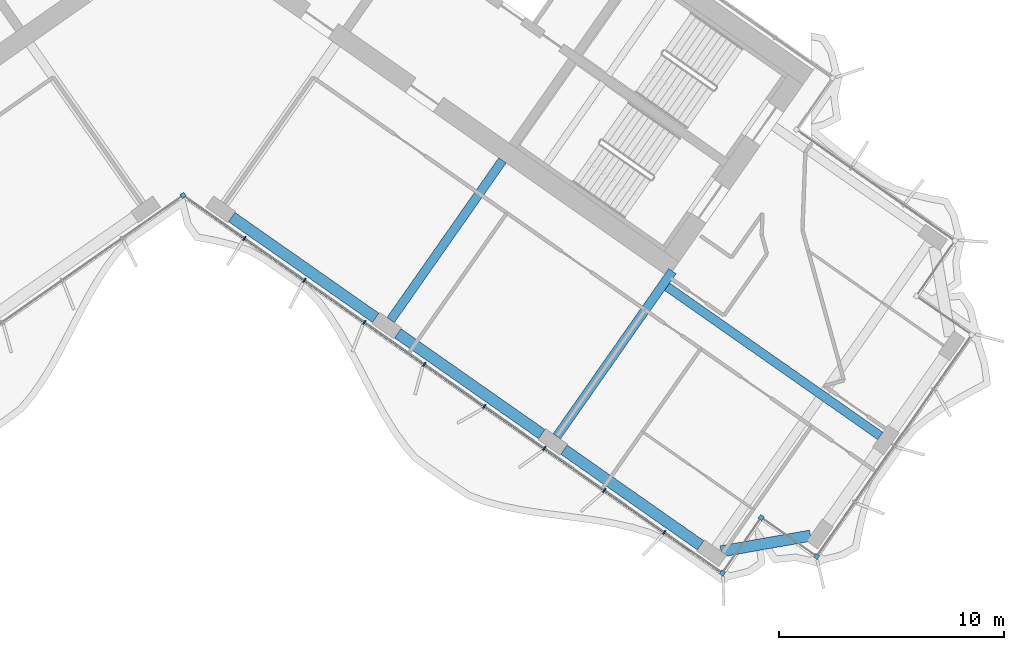
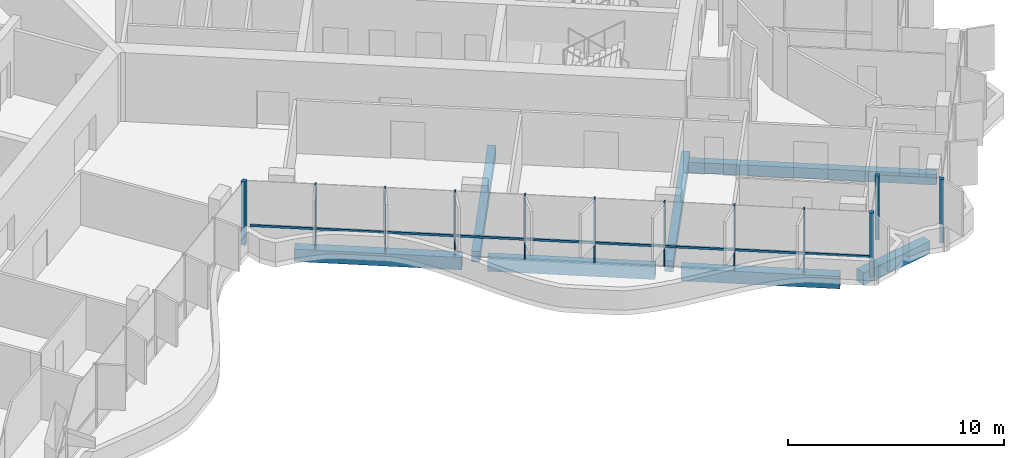
# One storey, part 5 of 21: 13 members, 7 beams, 1 element without a shape of its own.
"""IFC4 building model written with IfcOpenShell, lengths in metres."""

from ifc_helpers import new_model, si_unit, direction, frame, origin, origin_2d, place, context, subcontext, project, spatial, rectangle, extrude, material, material_profile, profile_set, type_object, element, aggregate, save


model = new_model("IFC4")

# Units and contexts
model_context = context("Model", 3, precision=1e-05, world=origin(), true_north=direction((0.0, 1.0)))
body_context = subcontext(model_context, "Body", "Model", "MODEL_VIEW")
ifc_project = project(units=[si_unit("LENGTHUNIT", "METRE"), si_unit("AREAUNIT", "SQUARE_METRE"), si_unit("VOLUMEUNIT", "CUBIC_METRE"), si_unit("PLANEANGLEUNIT", "RADIAN"), si_unit("MASSUNIT", "GRAM", prefix="KILO")], contexts=[model_context])

# Site, building, storey
site_placement = place(None, origin())
site = spatial("IfcSite", under=ifc_project, at=site_placement, CompositionType="ELEMENT")
building_placement = place(site_placement, origin())
building = spatial("IfcBuilding", under=site, at=building_placement, Name="Tel Ilan Convention Tower", CompositionType="ELEMENT")
storey_placement = place(building_placement, frame((0.0, 0.0, 206.10009765625)))
storey = spatial("IfcBuildingStorey", under=building, at=storey_placement, Name="L48", CompositionType="ELEMENT", Elevation=206.10009765625)

# Beams
ifc_material_1 = material(Name="Concrete C40/50", Category="concrete")
ifc_material_profile_1 = material_profile(ifc_material_1, rectangle(XDim=0.39990234375, YDim=0.60009765625, at=origin_2d()), Name="RC 400x600")
ifc_profile_set_1 = profile_set([ifc_material_profile_1], Name="Concrete C40/50")
beam_type_1 = type_object("IfcBeamType", Name="Beam RC 400x600 Concrete C40/50", PredefinedType="BEAM", material=ifc_profile_set_1)
beam_1_placement = place(storey_placement, frame((9.209716796875, -18.229248046875, -0.580078125), z_axis=(0.573574099654, 0.819153680457, 0.0), x_axis=(-0.819153680457, 0.573574099654, 0.0)))
element("IfcBeam", 1, at=beam_1_placement, inside=storey, type_object=beam_type_1, Name="L48 beam E-E-F2-core", PredefinedType="BEAM", context=body_context, shape_type="SweptSolid", body=[
    extrude(rectangle(XDim=0.39990234375, YDim=0.60009765625, at=origin_2d()), origin(), (0.0, 0.0, 1.0), 8.64990234375),
])
beam_2_placement = place(storey_placement, frame((16.58203125, -23.391357421875, -0.580078125), z_axis=(0.573584999642, 0.819146048141, 0.0), x_axis=(-0.819146048141, 0.573584999642, 0.0)))
element("IfcBeam", 2, at=beam_2_placement, inside=storey, type_object=beam_type_1, Name="L48 beam E-E-F3-core", PredefinedType="BEAM", context=body_context, shape_type="SweptSolid", body=[
    extrude(rectangle(XDim=0.39990234375, YDim=0.60009765625, at=origin_2d()), origin(), (0.0, 0.0, 1.0), 8.949951171875),
])
beam_3_placement = place(storey_placement, frame((21.477783203125, -16.748046875, -0.580078125), z_axis=(0.819160415691, -0.573564480564, 0.0), x_axis=(0.573564480564, 0.819160415691, 0.0)))
element("IfcBeam", 3, at=beam_3_placement, inside=storey, type_object=beam_type_1, Name="L48 beam E-core-end", PredefinedType="BEAM", context=body_context, shape_type="SweptSolid", body=[
    extrude(rectangle(XDim=0.39990234375, YDim=0.60009765625, at=origin_2d()), origin(), (0.0, 0.0, 1.0), 11.550048828125),
])
ifc_material_2 = material(Name="Concrete C40/50", Category="concrete")
ifc_material_profile_2 = material_profile(ifc_material_2, rectangle(XDim=0.5, YDim=0.699951171875, at=origin_2d()), Name="RC 500x700")
ifc_profile_set_2 = profile_set([ifc_material_profile_2], Name="Concrete C40/50")
beam_type_2 = type_object("IfcBeamType", Name="Beam RC 500x700 Concrete C40/50", PredefinedType="BEAM", material=ifc_profile_set_2)
for number, where, z_axis, x_axis, name in (
    (4, (2.15673828125, -13.656982421875, -0.630126953125), (0.819153977895, -0.573573674866, 0.0), (0.573573674866, 0.819153977895, 0.0), "L48 beam E-E-F1-E-F2"),
    (5, (9.529052734375, -18.819091796875, -0.630126953125), (0.819153977895, -0.573573674866, 0.0), (0.573573674866, 0.819153977895, 0.0), "L48 beam E-E-F2-E-F3"),
):
    element("IfcBeam", number, at=place(storey_placement, frame(where, z_axis=z_axis, x_axis=x_axis)), inside=storey, type_object=beam_type_2, Name=name, PredefinedType="BEAM", context=body_context, shape_type="SweptSolid", body=[
        extrude(rectangle(XDim=0.5, YDim=0.699951171875, at=origin_2d()), origin(), (0.0, 0.0, 1.0), 7.800048828125),
    ])
beam_4_placement = place(storey_placement, frame((16.901611328125, -23.981201171875, -0.630126953125), z_axis=(0.819148211634, -0.573581909911, 0.0), x_axis=(0.573581909911, 0.819148211634, 0.0)))
element("IfcBeam", 6, at=beam_4_placement, inside=storey, type_object=beam_type_2, Name="L48 beam E-E-F3-E-FC", PredefinedType="BEAM", context=body_context, shape_type="SweptSolid", body=[
    extrude(rectangle(XDim=0.5, YDim=0.699951171875, at=origin_2d()), origin(), (0.0, 0.0, 1.0), 7.39990234375),
])
beam_5_placement = place(storey_placement, frame((23.87255859375, -28.49609375, -0.630126953125), z_axis=(0.984815252405, 0.173605641124, 0.0), x_axis=(-0.173605641124, 0.984815252405, 0.0)))
element("IfcBeam", 7, at=beam_5_placement, inside=storey, type_object=beam_type_2, Name="L48 beam E-E-FC-E-E1", PredefinedType="BEAM", context=body_context, shape_type="SweptSolid", body=[
    extrude(rectangle(XDim=0.5, YDim=0.699951171875, at=origin_2d()), origin(), (0.0, 0.0, 1.0), 4.030517578125),
])

# Curtain wall, members
ifc_material_3 = material(Name="Aluminium, bronze anodised", Category="aluminium")
curtain_wall_type = type_object("IfcCurtainWallType", Name="CW4 STICK CURTAIN WALL, OFFICE TINTED GLASS", PredefinedType="NOTDEFINED", material=ifc_material_3)
curtain_wall_placement = place(storey_placement, origin())
curtain_wall = element("IfcCurtainWall", 8, at=curtain_wall_placement, inside=storey, type_object=curtain_wall_type, Name="Curtain wall CW4-38.02", PredefinedType="NOTDEFINED")
ifc_material_4 = material(Name="Aluminium, bronze anodised", Category="aluminium")
ifc_material_profile_3 = material_profile(ifc_material_4, rectangle(XDim=0.199951171875, YDim=0.199951171875, at=origin_2d()), Name="CW CORNER MULLION 200x200")
ifc_profile_set_3 = profile_set([ifc_material_profile_3], Name="Aluminium, bronze anodised")
member_type_1 = type_object("IfcMemberType", Name="CW CORNER MULLION 200x200", PredefinedType="MULLION", material=ifc_profile_set_3)
member_1_placement = place(storey_placement, frame((0.0, -12.696044921875, 0.0), z_axis=(0.0, 0.0, 1.0), x_axis=(0.819152044289, 0.573576436351, 0.0)))
member_1 = element("IfcMember", 9, at=member_1_placement, type_object=member_type_1, Name="Corner mullion", PredefinedType="MULLION", context=body_context, shape_type="SweptSolid", body=[
    extrude(rectangle(XDim=0.199951171875, YDim=0.199951171875, at=origin_2d()), origin(), (0.0, 0.0, 1.0), 3.619873046875),
])
member_2_placement = place(storey_placement, frame((23.933837890625, -29.454833984375, 0.0), z_axis=(0.0, 0.0, 1.0), x_axis=(0.819152044289, -0.573576436351, 0.0)))
member_2 = element("IfcMember", 10, at=member_2_placement, type_object=member_type_1, Name="Corner mullion", PredefinedType="MULLION", context=body_context, shape_type="SweptSolid", body=[
    extrude(rectangle(XDim=0.199951171875, YDim=0.199951171875, at=origin_2d()), origin(), (0.0, 0.0, 1.0), 3.619873046875),
])
member_3_placement = place(storey_placement, frame((25.654541015625, -26.997314453125, 0.0), z_axis=(0.0, 0.0, 1.0), x_axis=(0.573576436351, 0.819152044289, 0.0)))
member_3 = element("IfcMember", 11, at=member_3_placement, type_object=member_type_1, Name="Corner mullion", PredefinedType="MULLION", context=body_context, shape_type="SweptSolid", body=[
    extrude(rectangle(XDim=0.199951171875, YDim=0.199951171875, at=origin_2d()), origin(), (0.0, 0.0, 1.0), 3.619873046875),
])
member_4_placement = place(storey_placement, frame((28.112060546875, -28.718017578125, 0.0), z_axis=(0.0, 0.0, 1.0), x_axis=(0.819152044289, -0.573576436351, 0.0)))
member_4 = element("IfcMember", 12, at=member_4_placement, type_object=member_type_1, Name="Corner mullion", PredefinedType="MULLION", context=body_context, shape_type="SweptSolid", body=[
    extrude(rectangle(XDim=0.199951171875, YDim=0.199951171875, at=origin_2d()), origin(), (0.0, 0.0, 1.0), 3.619873046875),
])
ifc_material_5 = material(Name="Aluminium, bronze anodised", Category="aluminium")
ifc_material_profile_4 = material_profile(ifc_material_5, rectangle(XDim=0.06005859375, YDim=0.199951171875, at=origin_2d()), Name="CW MULLION 60x200")
ifc_profile_set_4 = profile_set([ifc_material_profile_4], Name="Aluminium, bronze anodised")
member_type_2 = type_object("IfcMemberType", Name="CW MULLION 60x200", PredefinedType="MULLION", material=ifc_profile_set_4)
member_5_placement = place(storey_placement, frame((2.719482421875, -14.60009765625, 0.0), z_axis=(0.0, 0.0, 1.0), x_axis=(0.819152044289, -0.573576436351, 0.0)))
member_5 = element("IfcMember", 13, at=member_5_placement, type_object=member_type_2, Name="Mullion", PredefinedType="MULLION", context=body_context, shape_type="SweptSolid", body=[
    extrude(rectangle(XDim=0.06005859375, YDim=0.199951171875, at=origin_2d()), origin(), (0.0, 0.0, 1.0), 3.619873046875),
])
member_6_placement = place(storey_placement, frame((5.38134765625, -16.464111328125, 0.0), z_axis=(0.0, 0.0, 1.0), x_axis=(0.819152044289, -0.573576436351, 0.0)))
member_6 = element("IfcMember", 14, at=member_6_placement, type_object=member_type_2, Name="Mullion", PredefinedType="MULLION", context=body_context, shape_type="SweptSolid", body=[
    extrude(rectangle(XDim=0.06005859375, YDim=0.199951171875, at=origin_2d()), origin(), (0.0, 0.0, 1.0), 3.619873046875),
])
member_7_placement = place(storey_placement, frame((8.04345703125, -18.328125, 0.0), z_axis=(0.0, 0.0, 1.0), x_axis=(0.819152044289, -0.573576436351, 0.0)))
member_7 = element("IfcMember", 15, at=member_7_placement, type_object=member_type_2, Name="Mullion", PredefinedType="MULLION", context=body_context, shape_type="SweptSolid", body=[
    extrude(rectangle(XDim=0.06005859375, YDim=0.199951171875, at=origin_2d()), origin(), (0.0, 0.0, 1.0), 3.619873046875),
])
member_8_placement = place(storey_placement, frame((10.70556640625, -20.192138671875, 0.0), z_axis=(0.0, 0.0, 1.0), x_axis=(0.819152044289, -0.573576436351, 0.0)))
member_8 = element("IfcMember", 16, at=member_8_placement, type_object=member_type_2, Name="Mullion", PredefinedType="MULLION", context=body_context, shape_type="SweptSolid", body=[
    extrude(rectangle(XDim=0.06005859375, YDim=0.199951171875, at=origin_2d()), origin(), (0.0, 0.0, 1.0), 3.619873046875),
])
member_9_placement = place(storey_placement, frame((13.36767578125, -22.05615234375, 0.0), z_axis=(0.0, 0.0, 1.0), x_axis=(0.819152044289, -0.573576436351, 0.0)))
member_9 = element("IfcMember", 17, at=member_9_placement, type_object=member_type_2, Name="Mullion", PredefinedType="MULLION", context=body_context, shape_type="SweptSolid", body=[
    extrude(rectangle(XDim=0.06005859375, YDim=0.199951171875, at=origin_2d()), origin(), (0.0, 0.0, 1.0), 3.619873046875),
])
member_10_placement = place(storey_placement, frame((16.029541015625, -23.920166015625, 0.0), z_axis=(0.0, 0.0, 1.0), x_axis=(0.819152044289, -0.573576436351, 0.0)))
member_10 = element("IfcMember", 18, at=member_10_placement, type_object=member_type_2, Name="Mullion", PredefinedType="MULLION", context=body_context, shape_type="SweptSolid", body=[
    extrude(rectangle(XDim=0.06005859375, YDim=0.199951171875, at=origin_2d()), origin(), (0.0, 0.0, 1.0), 3.619873046875),
])
member_11_placement = place(storey_placement, frame((18.691650390625, -25.7841796875, 0.0), z_axis=(0.0, 0.0, 1.0), x_axis=(0.819152044289, -0.573576436351, 0.0)))
member_11 = element("IfcMember", 19, at=member_11_placement, type_object=member_type_2, Name="Mullion", PredefinedType="MULLION", context=body_context, shape_type="SweptSolid", body=[
    extrude(rectangle(XDim=0.06005859375, YDim=0.199951171875, at=origin_2d()), origin(), (0.0, 0.0, 1.0), 3.619873046875),
])
member_12_placement = place(storey_placement, frame((21.353759765625, -27.648193359375, 0.0), z_axis=(0.0, 0.0, 1.0), x_axis=(0.819152044289, -0.573576436351, 0.0)))
member_12 = element("IfcMember", 20, at=member_12_placement, type_object=member_type_2, Name="Mullion", PredefinedType="MULLION", context=body_context, shape_type="SweptSolid", body=[
    extrude(rectangle(XDim=0.06005859375, YDim=0.199951171875, at=origin_2d()), origin(), (0.0, 0.0, 1.0), 3.619873046875),
])
ifc_material_6 = material(Name="Aluminium, bronze anodised", Category="aluminium")
ifc_material_profile_5 = material_profile(ifc_material_6, rectangle(XDim=0.10009765625, YDim=0.1201171875, at=origin_2d()), Name="CW TRANSOM 100x120")
ifc_profile_set_5 = profile_set([ifc_material_profile_5], Name="Aluminium, bronze anodised")
member_type_3 = type_object("IfcMemberType", Name="CW TRANSOM 100x120", PredefinedType="USERDEFINED", material=ifc_profile_set_5)
member_13_placement = place(storey_placement, frame((0.22119140625, -12.850830078125, 1.099853515625), z_axis=(0.819150008568, -0.573579343651, 0.0), x_axis=(0.573579343651, 0.819150008568, 0.0)))
member_13 = element("IfcMember", 21, at=member_13_placement, type_object=member_type_3, Name="Transom", ObjectType="TRANSOM", PredefinedType="USERDEFINED", context=body_context, shape_type="SweptSolid", body=[
    extrude(rectangle(XDim=0.10009765625, YDim=0.1201171875, at=origin_2d()), origin(), (0.0, 0.0, 1.0), 28.84814453125),
])
aggregate(curtain_wall, [member_1, member_5, member_6, member_7, member_8, member_9, member_10, member_11, member_12, member_2, member_13, member_3, member_4])

save(model, "model.ifc")
